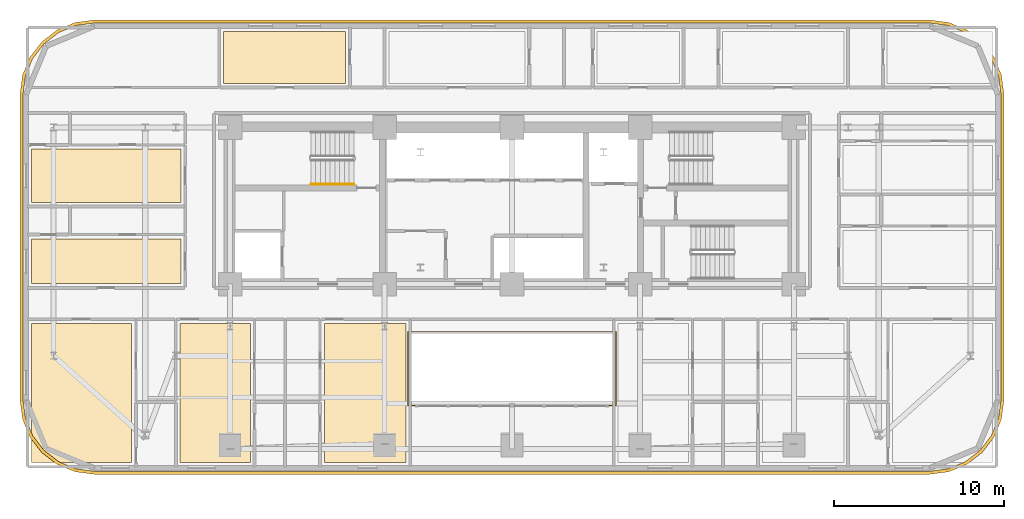
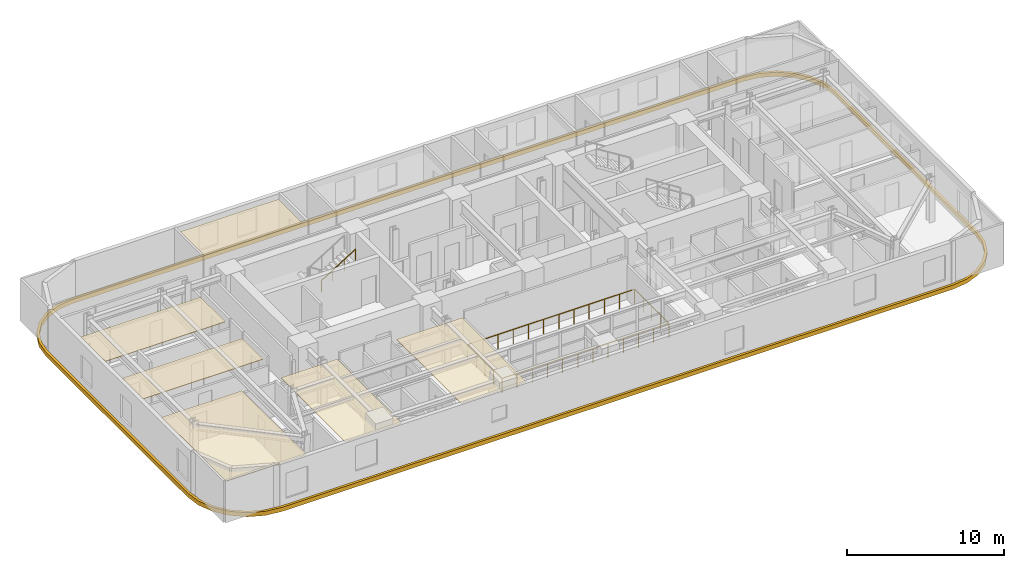
# One storey, part 14 of 16: 7 coverings, 2 railings.
"""IFC4 building model written with IfcOpenShell, lengths in metres."""

from ifc_helpers import new_model, si_unit, direction, frame, origin, origin_2d, place, context, subcontext, project, spatial, polyline, rectangle, outline, extrude, material, layer, layer_set, type_object, element, save


model = new_model("IFC4")

# Units and contexts
model_context = context("Model", 3, precision=1e-05, world=origin(), true_north=direction((0.0, 1.0)))
body_context = subcontext(model_context, "Body", "Model", "MODEL_VIEW")
ifc_project = project(units=[si_unit("LENGTHUNIT", "METRE"), si_unit("AREAUNIT", "SQUARE_METRE"), si_unit("VOLUMEUNIT", "CUBIC_METRE"), si_unit("PLANEANGLEUNIT", "RADIAN"), si_unit("MASSUNIT", "GRAM", prefix="KILO")], contexts=[model_context])

# Site, building, storey
site_placement = place(None, origin())
site = spatial("IfcSite", under=ifc_project, at=site_placement, CompositionType="ELEMENT")
building_placement = place(site_placement, origin())
building = spatial("IfcBuilding", under=site, at=building_placement, Name="Zarnavel Station Tower", CompositionType="ELEMENT")
storey_placement = place(building_placement, frame((0.0, 0.0, 86.300048828125)))
storey = spatial("IfcBuildingStorey", under=building, at=storey_placement, Name="L23", CompositionType="ELEMENT", Elevation=86.300048828125)

# Coverings
ifc_material_1 = material(Name="Perforated Gypsum and Mineral-Wool Acoustic Ceiling", Category="concrete")
ifc_layer = layer(ifc_material_1, 0.0400390625)
ifc_layer_set = layer_set([ifc_layer], Name="COV_CEIL_ACOUSTIC")
covering_type_1 = type_object("IfcCoveringType", Name="COV_CEIL_ACOUSTIC", PredefinedType="CEILING", material=ifc_layer_set)
covering_1_placement = place(storey_placement, frame((0.0, 0.0, 2.919921875)))
element("IfcCovering", 1, at=covering_1_placement, inside=storey, type_object=covering_type_1, Name="L23 FNW1R Acoustic Ceiling", PredefinedType="CEILING", context=body_context, shape_type="SweptSolid", body=[
    extrude(outline(polyline([(0.510009765625, 27.85009765625), (9.300048828125, 27.85009765625), (9.300048828125, 30.490966796875), (0.510009765625, 30.490966796875), (0.510009765625, 27.85009765625)])), origin(), (0.0, 0.0, 1.0), 0.0400390625),
])
covering_2_placement = place(storey_placement, frame((0.0, 0.0, 2.919921875)))
element("IfcCovering", 2, at=covering_2_placement, inside=storey, type_object=covering_type_1, Name="L23 FNW2R Acoustic Ceiling", PredefinedType="CEILING", context=body_context, shape_type="SweptSolid", body=[
    extrude(outline(polyline([(0.510009765625, 32.64111328125), (9.300048828125, 32.64111328125), (9.300048828125, 35.777099609375), (0.510009765625, 35.777099609375), (0.510009765625, 32.64111328125)])), origin(), (0.0, 0.0, 1.0), 0.0400390625),
])
covering_3_placement = place(storey_placement, frame((0.0, 0.0, 2.919921875)))
element("IfcCovering", 3, at=covering_3_placement, inside=storey, type_object=covering_type_1, Name="L23 HN1R Acoustic Ceiling", PredefinedType="CEILING", context=body_context, shape_type="SweptSolid", body=[
    extrude(outline(polyline([(11.81005859375, 39.64990234375), (19.0, 39.64990234375), (19.0, 42.68994140625), (11.81005859375, 42.68994140625), (11.81005859375, 39.64990234375)])), origin(), (0.0, 0.0, 1.0), 0.0400390625),
])
covering_4_placement = place(storey_placement, frame((0.0, 0.0, 2.919921875)))
element("IfcCovering", 4, at=covering_4_placement, inside=storey, type_object=covering_type_1, Name="L23 HW1R Acoustic Ceiling", PredefinedType="CEILING", context=body_context, shape_type="SweptSolid", body=[
    extrude(outline(polyline([(0.510009765625, 17.31005859375), (6.39990234375, 17.31005859375), (6.39990234375, 25.5), (0.510009765625, 25.5), (0.510009765625, 17.31005859375)])), origin(), (0.0, 0.0, 1.0), 0.0400390625),
])
covering_5_placement = place(storey_placement, frame((0.0, 0.0, 2.919921875)))
element("IfcCovering", 5, at=covering_5_placement, inside=storey, type_object=covering_type_1, Name="L23 HW2R Acoustic Ceiling", PredefinedType="CEILING", context=body_context, shape_type="SweptSolid", body=[
    extrude(outline(polyline([(9.25, 17.31005859375), (13.386962890625, 17.31005859375), (13.386962890625, 25.5), (9.25, 25.5), (9.25, 17.31005859375)])), origin(), (0.0, 0.0, 1.0), 0.0400390625),
])
covering_6_placement = place(storey_placement, frame((0.0, 0.0, 2.919921875)))
element("IfcCovering", 6, at=covering_6_placement, inside=storey, type_object=covering_type_1, Name="L23 HW3R Acoustic Ceiling", PredefinedType="CEILING", context=body_context, shape_type="SweptSolid", body=[
    extrude(outline(polyline([(17.7509765625, 17.31005859375), (22.550048828125, 17.31005859375), (22.550048828125, 25.5), (17.7509765625, 25.5), (17.7509765625, 17.31005859375)])), origin(), (0.0, 0.0, 1.0), 0.0400390625),
])
ifc_material_2 = material(Name="Precast concrete C45/55 (Pale Travertine Slab Band)", Category="masonry")
covering_type_2 = type_object("IfcCoveringType", Name="COV_TRAVERTINE_BAND", PredefinedType="CLADDING", material=ifc_material_2)
covering_7_placement = place(storey_placement, frame((0.0, 0.0, -0.260009765625)))
element("IfcCovering", 7, at=covering_7_placement, inside=storey, type_object=covering_type_2, Name="L23 Pale Travertine Slab-Edge Band", PredefinedType="CLADDING", context=body_context, shape_type="SweptSolid", body=[
    extrude(outline(polyline([(53.39990234375, 16.6201171875), (54.53369140625, 16.769287109375), (55.590087890625, 17.206787109375), (56.4970703125, 17.90283203125), (57.193115234375, 18.81005859375), (57.630859375, 19.866455078125), (57.780029296875, 21.0), (57.780029296875, 39.0), (57.630859375, 40.133544921875), (57.193115234375, 41.18994140625), (56.4970703125, 42.09716796875), (55.590087890625, 42.793212890625), (54.53369140625, 43.230712890625), (53.39990234375, 43.3798828125), (4.199951171875, 43.3798828125), (3.06640625, 43.230712890625), (2.010009765625, 42.793212890625), (1.102783203125, 42.09716796875), (0.40673828125, 41.18994140625), (-0.03076171875, 40.133544921875), (-0.179931640625, 39.0), (-0.179931640625, 21.0), (-0.03076171875, 19.866455078125), (0.40673828125, 18.81005859375), (1.102783203125, 17.90283203125), (2.010009765625, 17.206787109375), (3.06640625, 16.769287109375), (4.199951171875, 16.6201171875), (53.39990234375, 16.6201171875)]), holes=[polyline([(53.39990234375, 16.800048828125), (54.487060546875, 16.943115234375), (55.5, 17.36279296875), (56.369873046875, 18.0302734375), (57.037353515625, 18.89990234375), (57.456787109375, 19.9130859375), (57.60009765625, 21.0), (57.60009765625, 39.0), (57.456787109375, 40.0869140625), (57.037353515625, 41.10009765625), (56.369873046875, 41.9697265625), (55.5, 42.63720703125), (54.487060546875, 43.056884765625), (53.39990234375, 43.199951171875), (4.199951171875, 43.199951171875), (3.113037109375, 43.056884765625), (2.10009765625, 42.63720703125), (1.230224609375, 41.9697265625), (0.562744140625, 41.10009765625), (0.14306640625, 40.0869140625), (0.0, 39.0), (0.0, 21.0), (0.14306640625, 19.9130859375), (0.562744140625, 18.89990234375), (1.230224609375, 18.0302734375), (2.10009765625, 17.36279296875), (3.113037109375, 16.943115234375), (4.199951171875, 16.800048828125), (53.39990234375, 16.800048828125)])]), origin(), (0.0, 0.0, 1.0), 0.320068359375),
])

# Railings
ifc_material_3 = material(Name="Painted Steel S355J2 Balustrade", Category="steel")
railing_type_1 = type_object("IfcRailingType", Name="GR_INT_1150", PredefinedType="GUARDRAIL", material=ifc_material_3)
railing_1_placement = place(storey_placement, frame((22.679931640625, 20.679931640625, 0.0)))
element("IfcRailing", 8, at=railing_1_placement, inside=storey, type_object=railing_type_1, Name="L23 Atrium Void Guardrail", PredefinedType="GUARDRAIL", context=body_context, shape_type="SweptSolid", body=[
    extrude(rectangle(XDim=0.048095703125, YDim=0.048095703125, at=origin_2d()), frame((0.001953125, 0.0, 1.1259765625), z_axis=(1.0, 0.0, 0.0), x_axis=(0.0, 1.0, 0.0)), (0.0, 0.0, 1.0), 12.236083984375),
    extrude(rectangle(XDim=0.048095703125, YDim=0.048095703125, at=origin_2d()), frame((12.239990234375, 0.001953125, 1.1259765625), z_axis=(0.0, 1.0, 0.0), x_axis=(-1.0, 0.0, 0.0)), (0.0, 0.0, 1.0), 4.336181640625),
    extrude(rectangle(XDim=0.048095703125, YDim=0.048095703125, at=origin_2d()), frame((12.238037109375, 4.340087890625, 1.1259765625), z_axis=(-1.0, 0.0, 0.0), x_axis=(0.0, -1.0, 0.0)), (0.0, 0.0, 1.0), 12.236083984375),
    extrude(rectangle(XDim=0.048095703125, YDim=0.048095703125, at=origin_2d()), frame((0.0, 4.338134765625, 1.1259765625), z_axis=(0.0, -1.0, 0.0), x_axis=(1.0, 0.0, 0.0)), (0.0, 0.0, 1.0), 4.336181640625),
    extrude(rectangle(XDim=0.0419921875, YDim=0.0419921875, at=origin_2d()), origin(), (0.0, 0.0, 1.0), 1.101806640625),
    extrude(rectangle(XDim=0.0419921875, YDim=0.0419921875, at=origin_2d()), frame((1.11279296875, 0.0, 0.0)), (0.0, 0.0, 1.0), 1.101806640625),
    extrude(rectangle(XDim=0.0419921875, YDim=0.0419921875, at=origin_2d()), frame((2.225341796875, 0.0, 0.0)), (0.0, 0.0, 1.0), 1.101806640625),
    extrude(rectangle(XDim=0.0419921875, YDim=0.0419921875, at=origin_2d()), frame((3.338134765625, 0.0, 0.0)), (0.0, 0.0, 1.0), 1.101806640625),
    extrude(rectangle(XDim=0.0419921875, YDim=0.0419921875, at=origin_2d()), frame((4.450927734375, 0.0, 0.0)), (0.0, 0.0, 1.0), 1.101806640625),
    extrude(rectangle(XDim=0.0419921875, YDim=0.0419921875, at=origin_2d()), frame((5.563720703125, 0.0, 0.0)), (0.0, 0.0, 1.0), 1.101806640625),
    extrude(rectangle(XDim=0.0419921875, YDim=0.0419921875, at=origin_2d()), frame((6.67626953125, 0.0, 0.0)), (0.0, 0.0, 1.0), 1.101806640625),
    extrude(rectangle(XDim=0.0419921875, YDim=0.0419921875, at=origin_2d()), frame((7.7890625, 0.0, 0.0)), (0.0, 0.0, 1.0), 1.101806640625),
    extrude(rectangle(XDim=0.0419921875, YDim=0.0419921875, at=origin_2d()), frame((8.90185546875, 0.0, 0.0)), (0.0, 0.0, 1.0), 1.101806640625),
    extrude(rectangle(XDim=0.0419921875, YDim=0.0419921875, at=origin_2d()), frame((10.0146484375, 0.0, 0.0)), (0.0, 0.0, 1.0), 1.101806640625),
    extrude(rectangle(XDim=0.0419921875, YDim=0.0419921875, at=origin_2d()), frame((11.127197265625, 0.0, 0.0)), (0.0, 0.0, 1.0), 1.101806640625),
    extrude(rectangle(XDim=0.0419921875, YDim=0.0419921875, at=origin_2d()), frame((12.239990234375, 0.0, 0.0)), (0.0, 0.0, 1.0), 1.101806640625),
    extrude(rectangle(XDim=0.0419921875, YDim=0.0419921875, at=origin_2d()), frame((12.239990234375, 1.0849609375, 0.0)), (0.0, 0.0, 1.0), 1.101806640625),
    extrude(rectangle(XDim=0.0419921875, YDim=0.0419921875, at=origin_2d()), frame((12.239990234375, 2.169921875, 0.0)), (0.0, 0.0, 1.0), 1.101806640625),
    extrude(rectangle(XDim=0.0419921875, YDim=0.0419921875, at=origin_2d()), frame((12.239990234375, 3.255126953125, 0.0)), (0.0, 0.0, 1.0), 1.101806640625),
    extrude(rectangle(XDim=0.0419921875, YDim=0.0419921875, at=origin_2d()), frame((12.239990234375, 4.340087890625, 0.0)), (0.0, 0.0, 1.0), 1.101806640625),
    extrude(rectangle(XDim=0.0419921875, YDim=0.0419921875, at=origin_2d()), frame((11.127197265625, 4.340087890625, 0.0)), (0.0, 0.0, 1.0), 1.101806640625),
    extrude(rectangle(XDim=0.0419921875, YDim=0.0419921875, at=origin_2d()), frame((10.0146484375, 4.340087890625, 0.0)), (0.0, 0.0, 1.0), 1.101806640625),
    extrude(rectangle(XDim=0.0419921875, YDim=0.0419921875, at=origin_2d()), frame((8.90185546875, 4.340087890625, 0.0)), (0.0, 0.0, 1.0), 1.101806640625),
    extrude(rectangle(XDim=0.0419921875, YDim=0.0419921875, at=origin_2d()), frame((7.7890625, 4.340087890625, 0.0)), (0.0, 0.0, 1.0), 1.101806640625),
    extrude(rectangle(XDim=0.0419921875, YDim=0.0419921875, at=origin_2d()), frame((6.67626953125, 4.340087890625, 0.0)), (0.0, 0.0, 1.0), 1.101806640625),
    extrude(rectangle(XDim=0.0419921875, YDim=0.0419921875, at=origin_2d()), frame((5.563720703125, 4.340087890625, 0.0)), (0.0, 0.0, 1.0), 1.101806640625),
    extrude(rectangle(XDim=0.0419921875, YDim=0.0419921875, at=origin_2d()), frame((4.450927734375, 4.340087890625, 0.0)), (0.0, 0.0, 1.0), 1.101806640625),
    extrude(rectangle(XDim=0.0419921875, YDim=0.0419921875, at=origin_2d()), frame((3.338134765625, 4.340087890625, 0.0)), (0.0, 0.0, 1.0), 1.101806640625),
    extrude(rectangle(XDim=0.0419921875, YDim=0.0419921875, at=origin_2d()), frame((2.225341796875, 4.340087890625, 0.0)), (0.0, 0.0, 1.0), 1.101806640625),
    extrude(rectangle(XDim=0.0419921875, YDim=0.0419921875, at=origin_2d()), frame((1.11279296875, 4.340087890625, 0.0)), (0.0, 0.0, 1.0), 1.101806640625),
    extrude(rectangle(XDim=0.0419921875, YDim=0.0419921875, at=origin_2d()), frame((0.0, 4.340087890625, 0.0)), (0.0, 0.0, 1.0), 1.101806640625),
    extrude(rectangle(XDim=0.0419921875, YDim=0.0419921875, at=origin_2d()), frame((0.0, 3.255126953125, 0.0)), (0.0, 0.0, 1.0), 1.101806640625),
    extrude(rectangle(XDim=0.0419921875, YDim=0.0419921875, at=origin_2d()), frame((0.0, 2.169921875, 0.0)), (0.0, 0.0, 1.0), 1.101806640625),
    extrude(rectangle(XDim=0.0419921875, YDim=0.0419921875, at=origin_2d()), frame((0.0, 1.0849609375, 0.0)), (0.0, 0.0, 1.0), 1.101806640625),
])
ifc_material_4 = material(Name="Brushed Stainless Steel S355J2 Handrail", Category="steel")
railing_type_2 = type_object("IfcRailingType", Name="HR_STAIR_900", PredefinedType="HANDRAIL", material=ifc_material_4)
railing_2_placement = place(storey_placement, frame((16.9599609375, 33.7099609375, 1.925048828125)))
element("IfcRailing", 9, at=railing_2_placement, inside=storey, type_object=railing_type_2, Name="L23 ST1 stair handrail 2", PredefinedType="HANDRAIL", context=body_context, shape_type="SweptSolid", body=[
    extrude(rectangle(XDim=0.048095703125, YDim=0.048095703125, at=origin_2d()), frame((0.001708984375, 0.0, 0.876953125), z_axis=(0.848007534815, 0.0, 0.529984170421), x_axis=(0.0, 1.0, 0.0)), (0.0, 0.0, 1.0), 2.9677734375),
    extrude(rectangle(XDim=0.0419921875, YDim=0.0419921875, at=origin_2d()), origin(), (0.0, 0.0, 1.0), 0.851806640625),
    extrude(rectangle(XDim=0.0419921875, YDim=0.0419921875, at=origin_2d()), frame((0.840087890625, 0.0, 0.52490234375)), (0.0, 0.0, 1.0), 0.851806640625),
    extrude(rectangle(XDim=0.0419921875, YDim=0.0419921875, at=origin_2d()), frame((1.679931640625, 0.0, 1.050048828125)), (0.0, 0.0, 1.0), 0.851806640625),
    extrude(rectangle(XDim=0.0419921875, YDim=0.0419921875, at=origin_2d()), frame((2.52001953125, 0.0, 1.574951171875)), (0.0, 0.0, 1.0), 0.851806640625),
])

save(model, "model.ifc")
